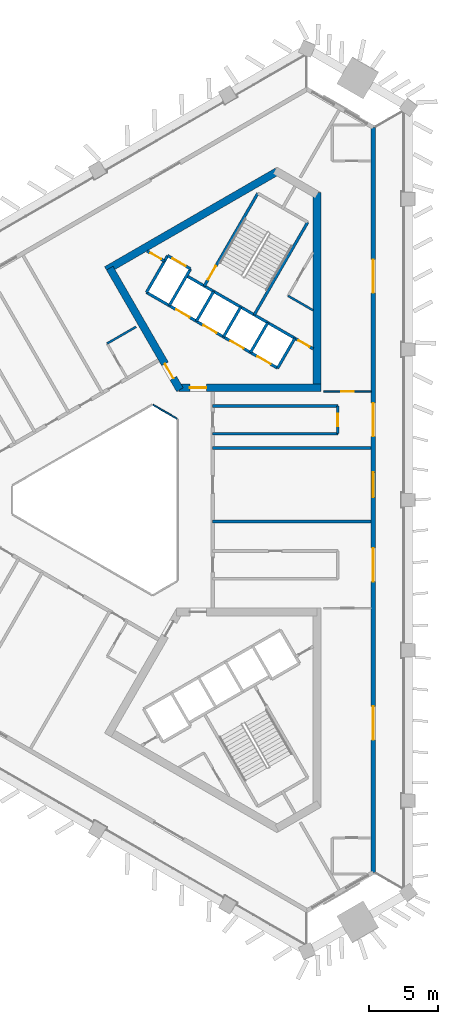
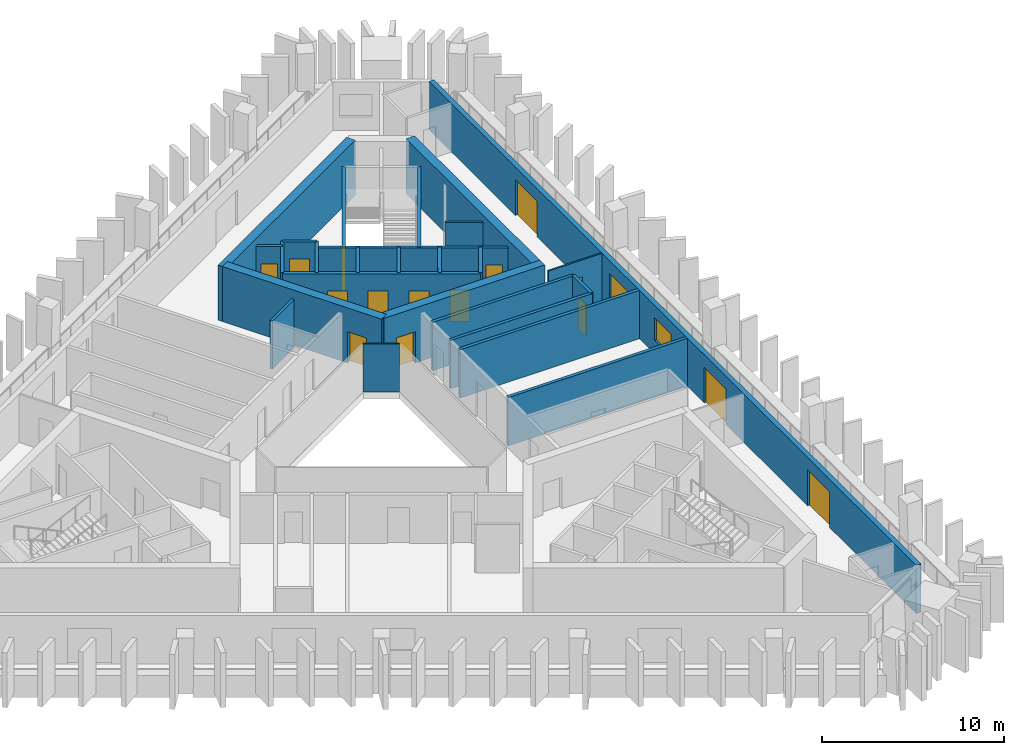
# One storey, part 5 of 9: 26 walls, 16 doors, 1 window, 17 openings.
"""IFC4 building model written with IfcOpenShell, lengths in metres."""

from ifc_helpers import new_model, si_unit, direction, frame, frame_2d, origin, place, context, subcontext, project, spatial, rectangle, extrude, material, layer, layer_set, type_object, element, fill, save


model = new_model("IFC4")

# Units and contexts
model_context = context("Model", 3, precision=1e-05, world=origin(), true_north=direction((0.0, 1.0)))
body_context = subcontext(model_context, "Body", "Model", "MODEL_VIEW")
ifc_project = project(units=[si_unit("LENGTHUNIT", "METRE"), si_unit("AREAUNIT", "SQUARE_METRE"), si_unit("VOLUMEUNIT", "CUBIC_METRE"), si_unit("PLANEANGLEUNIT", "RADIAN"), si_unit("MASSUNIT", "GRAM", prefix="KILO")], contexts=[model_context])

# Site, building, storey
site_placement = place(None, origin())
site = spatial("IfcSite", under=ifc_project, at=site_placement, CompositionType="ELEMENT")
building_placement = place(site_placement, origin())
building = spatial("IfcBuilding", under=site, at=building_placement, Name="Jabali Bay Hotel Tower and Convention Centre", CompositionType="ELEMENT")
storey_placement = place(building_placement, frame((0.0, 0.0, 171.10009765625)))
storey = spatial("IfcBuildingStorey", under=building, at=storey_placement, Name="L41", CompositionType="ELEMENT", Elevation=171.10009765625)

# Wall
ifc_material_1 = material(Name="Fire-resistant glazing", Category="glass")
ifc_layer_1 = layer(ifc_material_1, 0.10009765625)
ifc_layer_set_1 = layer_set([ifc_layer_1], Name="Fire-resistant glazing")
wall_type_1 = type_object("IfcWallType", Name="Atrium glazed screen 100", PredefinedType="PARTITIONING", material=ifc_layer_set_1)
wall_1_placement = place(storey_placement, frame((79.530029296875, 85.84619140625, 0.0), z_axis=(0.0, 0.0, 1.0), x_axis=(-0.866041268327, 0.499972520799, 0.0)))
element("IfcWall", 1, at=wall_1_placement, inside=storey, type_object=wall_type_1, Name="Atrium screen 2 L41", PredefinedType="PARTITIONING", context=body_context, shape_type="SweptSolid", body=[
    extrude(rectangle(XDim=2.0, YDim=0.10009765625, at=frame_2d((1.0, 0.0))), origin(), (0.0, 0.0, 1.0), 3.25),
])

# Wall, opening, door
ifc_material_2 = material(Name="Concrete C40", Category="concrete")
ifc_layer_2 = layer(ifc_material_2, 0.199951171875)
ifc_layer_set_2 = layer_set([ifc_layer_2], Name="Concrete C40")
wall_type_2 = type_object("IfcWallType", Name="Core partition wall 200", PredefinedType="PARTITIONING", material=ifc_layer_set_2)
wall_2_placement = place(storey_placement, frame((78.630126953125, 97.187744140625, 0.0), z_axis=(0.0, 0.0, 1.0), x_axis=(-0.866003949776, 0.500037157592, 0.0)))
wall_2 = element("IfcWall", 2, at=wall_2_placement, inside=storey, type_object=wall_type_2, Name="Core wall 1.12 L41", PredefinedType="PARTITIONING", context=body_context, shape_type="SweptSolid", body=[
    extrude(rectangle(XDim=1.455078125, YDim=0.199951171875, at=frame_2d((0.7275390625, 0.0))), origin(), (0.0, 0.0, 1.0), 3.25),
])
opening_1_placement = place(wall_2_placement, frame((0.277587890625, 0.0, 0.0)))
opening_1 = element("IfcOpeningElement", 3, at=opening_1_placement, cuts=wall_2, Name="Opening D895", PredefinedType="OPENING", context=body_context, shape_type="SweptSolid", body=[
    extrude(rectangle(XDim=0.89990234375, YDim=2.10009765625, at=frame_2d((0.449951171875, 1.050048828125))), frame((0.0, 0.1103515625, 0.0), z_axis=(0.0, -1.0, 0.0), x_axis=(1.0, 0.0, 0.0)), (0.0, 0.0, 1.0), 0.220947265625),
])
ifc_material_3 = material(Name="Fire-rated steel door", Category="steel")
door_type_1 = type_object("IfcDoorType", Name="Vestibule fire door 900 x 2100", OperationType="NOTDEFINED", PredefinedType="NOTDEFINED", material=ifc_material_3)
door_1_placement = place(opening_1_placement, origin())
door_1 = element("IfcDoor", 4, at=door_1_placement, inside=storey, type_object=door_type_1, Name="Vestibule fire door D895", OperationType="SINGLE_SWING_LEFT", OverallHeight=2.10009765625, OverallWidth=0.89990234375, PredefinedType="NOTDEFINED", context=body_context, shape_type="SweptSolid", body=[
    extrude(rectangle(XDim=0.89990234375, YDim=2.10009765625, at=frame_2d((0.449951171875, 1.050048828125))), frame((0.0, 0.02490234375, 0.0), z_axis=(0.0, -1.0, 0.0), x_axis=(1.0, 0.0, 0.0)), (0.0, 0.0, 1.0), 0.050048828125),
])
fill(opening_1, door_1)

# Walls
ifc_material_4 = material(Name="Fire-rated board partition")
ifc_layer_3 = layer(ifc_material_4, 0.14990234375)
ifc_layer_set_3 = layer_set([ifc_layer_3], Name="Fire-rated board partition")
wall_type_3 = type_object("IfcWallType", Name="Core room partition 150", PredefinedType="PARTITIONING", material=ifc_layer_set_3)
wall_3_placement = place(storey_placement, frame((89.330078125, 93.642822265625, 0.0), z_axis=(0.0, 0.0, 1.0), x_axis=(-0.866033778982, 0.499985493453, 0.0)))
element("IfcWall", 5, at=wall_3_placement, inside=storey, type_object=wall_type_3, Name="Core wall 1.14 L41", PredefinedType="PARTITIONING", context=body_context, shape_type="SweptSolid", body=[
    extrude(rectangle(XDim=2.0888671875, YDim=0.14990234375, at=frame_2d((1.04443359375, 0.0))), origin(), (0.0, 0.0, 1.0), 3.25),
])
ifc_layer_4 = layer(ifc_material_2, 0.199951171875)
ifc_layer_set_4 = layer_set([ifc_layer_4], Name="Concrete C40")
wall_type_4 = type_object("IfcWallType", Name="Core stair wall 200", PredefinedType="SOLIDWALL", material=ifc_layer_set_4)
for number, where, z_axis, x_axis, name in (
    (6, (86.769775390625, 89.48583984375, 0.0), (0.0, 0.0, 1.0), (0.499961042966, 0.86604789447, 0.0), "Core wall 1.0 L41"),
    (7, (84.8212890625, 90.61083984375, 0.0), (0.0, 0.0, 1.0), (0.499961042966, 0.86604789447, 0.0), "Core wall 1.2 L41"),
):
    element("IfcWall", number, at=place(storey_placement, frame(where, z_axis=z_axis, x_axis=x_axis)), inside=storey, type_object=wall_type_4, Name=name, PredefinedType="SOLIDWALL", context=body_context, shape_type="SweptSolid", body=[
        extrude(rectangle(XDim=2.480224609375, YDim=0.199951171875, at=frame_2d((1.240234375, 0.0))), origin(), (0.0, 0.0, 1.0), 3.25),
    ])
wall_4_placement = place(storey_placement, frame((85.0869140625, 93.3212890625, 0.0), z_axis=(0.0, 0.0, 1.0), x_axis=(0.500019787375, 0.866013979237, 0.0)))
element("IfcWall", 8, at=wall_4_placement, inside=storey, type_object=wall_type_4, Name="Core wall 1.3 L41", PredefinedType="SOLIDWALL", context=body_context, shape_type="SweptSolid", body=[
    extrude(rectangle(XDim=7.699951171875, YDim=0.199951171875, at=frame_2d((3.85009765625, 0.0))), origin(), (0.0, 0.0, 1.0), 3.25),
])
for number, where, z_axis, x_axis, name in (
    (9, (82.872802734375, 91.73583984375, 0.0), (0.0, 0.0, 1.0), (0.499961042966, 0.86604789447, 0.0), "Core wall 1.4 L41"),
    (10, (80.924072265625, 92.86083984375, 0.0), (0.0, 0.0, 1.0), (0.499961042966, 0.86604789447, 0.0), "Core wall 1.6 L41"),
):
    element("IfcWall", number, at=place(storey_placement, frame(where, z_axis=z_axis, x_axis=x_axis)), inside=storey, type_object=wall_type_4, Name=name, PredefinedType="SOLIDWALL", context=body_context, shape_type="SweptSolid", body=[
        extrude(rectangle(XDim=2.480224609375, YDim=0.199951171875, at=frame_2d((1.240234375, 0.0))), origin(), (0.0, 0.0, 1.0), 3.25),
    ])

# Wall, opening, door
wall_5_placement = place(storey_placement, frame((81.492919921875, 95.396240234375, 0.0), z_axis=(0.0, 0.0, 1.0), x_axis=(0.500006057782, 0.866021906294, 0.0)))
wall_5 = element("IfcWall", 11, at=wall_5_placement, inside=storey, type_object=wall_type_4, Name="Core wall 1.7 L41", PredefinedType="SOLIDWALL", context=body_context, shape_type="SweptSolid", body=[
    extrude(rectangle(XDim=7.7001953125, YDim=0.199951171875, at=frame_2d((3.85009765625, 0.0))), origin(), (0.0, 0.0, 1.0), 3.25),
])
opening_2_placement = place(wall_5_placement, frame((0.550048828125, 0.0, 0.0)))
opening_2 = element("IfcOpeningElement", 12, at=opening_2_placement, cuts=wall_5, Name="Opening D897", PredefinedType="OPENING", context=body_context, shape_type="SweptSolid", body=[
    extrude(rectangle(XDim=1.10009765625, YDim=2.10009765625, at=frame_2d((0.550048828125, 1.050048828125))), frame((0.0, 0.1103515625, 0.0), z_axis=(0.0, -1.0, 0.0), x_axis=(1.0, 0.0, 0.0)), (0.0, 0.0, 1.0), 0.220947265625),
])
door_type_2 = type_object("IfcDoorType", Name="Stair fire door 1100 x 2100", OperationType="NOTDEFINED", PredefinedType="NOTDEFINED", material=ifc_material_3)
door_2_placement = place(opening_2_placement, origin())
door_2 = element("IfcDoor", 13, at=door_2_placement, inside=storey, type_object=door_type_2, Name="Stair fire door D897", OperationType="SINGLE_SWING_RIGHT", OverallHeight=2.10009765625, OverallWidth=1.10009765625, PredefinedType="NOTDEFINED", context=body_context, shape_type="SweptSolid", body=[
    extrude(rectangle(XDim=1.10009765625, YDim=2.10009765625, at=frame_2d((0.550048828125, 1.050048828125))), frame((0.0, 0.02490234375, 0.0), z_axis=(0.0, -1.0, 0.0), x_axis=(1.0, 0.0, 0.0)), (0.0, 0.0, 1.0), 0.050048828125),
])
fill(opening_2, door_2)

# Walls
for number, where, z_axis, x_axis, name in (
    (14, (78.9755859375, 93.98583984375, 0.0), (0.0, 0.0, 1.0), (0.499944174705, 0.866057632134, 0.0), "Core wall 1.8 L41"),
    (15, (77.330078125, 94.93603515625, 0.0), (0.0, 0.0, 1.0), (0.500038867431, 0.8660029625, 0.0), "Core wall 1.9 L41"),
):
    element("IfcWall", number, at=place(storey_placement, frame(where, z_axis=z_axis, x_axis=x_axis)), inside=storey, type_object=wall_type_4, Name=name, PredefinedType="SOLIDWALL", context=body_context, shape_type="SweptSolid", body=[
        extrude(rectangle(XDim=3.050048828125, YDim=0.199951171875, at=frame_2d((1.52490234375, 0.0))), origin(), (0.0, 0.0, 1.0), 3.25),
    ])

# Wall, openings, doors
wall_6_placement = place(storey_placement, frame((86.769775390625, 89.48583984375, 0.0), z_axis=(0.0, 0.0, 1.0), x_axis=(-0.86601811187, 0.500012629753, 0.0)))
wall_6 = element("IfcWall", 16, at=wall_6_placement, inside=storey, type_object=wall_type_4, Name="Core wall 1.10 L41", PredefinedType="SOLIDWALL", context=body_context, shape_type="SweptSolid", body=[
    extrude(rectangle(XDim=10.900146484375, YDim=0.199951171875, at=frame_2d((5.4501953125, 0.0))), origin(), (0.0, 0.0, 1.0), 3.25),
])
opening_3_placement = place(wall_6_placement, frame((0.574951171875, 0.0, 0.0)))
opening_3 = element("IfcOpeningElement", 17, at=opening_3_placement, cuts=wall_6, Name="Opening LD6-L41", PredefinedType="OPENING", context=body_context, shape_type="SweptSolid", body=[
    extrude(rectangle(XDim=1.10009765625, YDim=2.10009765625, at=frame_2d((0.550048828125, 1.050048828125))), frame((0.0, 0.1103515625, 0.0), z_axis=(0.0, -1.0, 0.0), x_axis=(1.0, 0.0, 0.0)), (0.0, 0.0, 1.0), 0.220947265625),
])
opening_4_placement = place(wall_6_placement, frame((2.824951171875, 0.0, 0.0)))
opening_4 = element("IfcOpeningElement", 18, at=opening_4_placement, cuts=wall_6, Name="Opening LD7-L41", PredefinedType="OPENING", context=body_context, shape_type="SweptSolid", body=[
    extrude(rectangle(XDim=1.10009765625, YDim=2.10009765625, at=frame_2d((0.550048828125, 1.050048828125))), frame((0.0, 0.1103515625, 0.0), z_axis=(0.0, -1.0, 0.0), x_axis=(1.0, 0.0, 0.0)), (0.0, 0.0, 1.0), 0.220947265625),
])
opening_5_placement = place(wall_6_placement, frame((5.074951171875, 0.0, 0.0)))
opening_5 = element("IfcOpeningElement", 19, at=opening_5_placement, cuts=wall_6, Name="Opening LD8-L41", PredefinedType="OPENING", context=body_context, shape_type="SweptSolid", body=[
    extrude(rectangle(XDim=1.10009765625, YDim=2.10009765625, at=frame_2d((0.550048828125, 1.050048828125))), frame((0.0, 0.1103515625, 0.0), z_axis=(0.0, -1.0, 0.0), x_axis=(1.0, 0.0, 0.0)), (0.0, 0.0, 1.0), 0.220947265625),
])
opening_6_placement = place(wall_6_placement, frame((7.324951171875, 0.0, 0.0)))
opening_6 = element("IfcOpeningElement", 20, at=opening_6_placement, cuts=wall_6, Name="Opening LD9-L41", PredefinedType="OPENING", context=body_context, shape_type="SweptSolid", body=[
    extrude(rectangle(XDim=1.10009765625, YDim=2.10009765625, at=frame_2d((0.550048828125, 1.050048828125))), frame((0.0, 0.1103515625, 0.0), z_axis=(0.0, -1.0, 0.0), x_axis=(1.0, 0.0, 0.0)), (0.0, 0.0, 1.0), 0.220947265625),
])
ifc_material_5 = material(Name="Stainless steel landing door", Category="steel")
door_type_3 = type_object("IfcDoorType", Name="Landing door 1100 x 2100", OperationType="NOTDEFINED", PredefinedType="NOTDEFINED", material=ifc_material_5)
door_3_placement = place(opening_3_placement, origin())
door_3 = element("IfcDoor", 21, at=door_3_placement, inside=storey, type_object=door_type_3, Name="Landing doors LD6-L41", OperationType="SLIDING_TO_RIGHT", OverallHeight=2.10009765625, OverallWidth=1.10009765625, PredefinedType="NOTDEFINED", context=body_context, shape_type="SweptSolid", body=[
    extrude(rectangle(XDim=1.10009765625, YDim=2.10009765625, at=frame_2d((0.550048828125, 1.050048828125))), frame((0.0, 0.02490234375, 0.0), z_axis=(0.0, -1.0, 0.0), x_axis=(1.0, 0.0, 0.0)), (0.0, 0.0, 1.0), 0.050048828125),
])
fill(opening_3, door_3)
door_4_placement = place(opening_4_placement, origin())
door_4 = element("IfcDoor", 22, at=door_4_placement, inside=storey, type_object=door_type_3, Name="Landing doors LD7-L41", OperationType="SLIDING_TO_LEFT", OverallHeight=2.10009765625, OverallWidth=1.10009765625, PredefinedType="NOTDEFINED", context=body_context, shape_type="SweptSolid", body=[
    extrude(rectangle(XDim=1.10009765625, YDim=2.10009765625, at=frame_2d((0.550048828125, 1.050048828125))), frame((0.0, 0.02490234375, 0.0), z_axis=(0.0, -1.0, 0.0), x_axis=(1.0, 0.0, 0.0)), (0.0, 0.0, 1.0), 0.050048828125),
])
fill(opening_4, door_4)
door_5_placement = place(opening_5_placement, origin())
door_5 = element("IfcDoor", 23, at=door_5_placement, inside=storey, type_object=door_type_3, Name="Landing doors LD8-L41", OperationType="SLIDING_TO_RIGHT", OverallHeight=2.10009765625, OverallWidth=1.10009765625, PredefinedType="NOTDEFINED", context=body_context, shape_type="SweptSolid", body=[
    extrude(rectangle(XDim=1.10009765625, YDim=2.10009765625, at=frame_2d((0.550048828125, 1.050048828125))), frame((0.0, 0.02490234375, 0.0), z_axis=(0.0, -1.0, 0.0), x_axis=(1.0, 0.0, 0.0)), (0.0, 0.0, 1.0), 0.050048828125),
])
fill(opening_5, door_5)
door_6_placement = place(opening_6_placement, origin())
door_6 = element("IfcDoor", 24, at=door_6_placement, inside=storey, type_object=door_type_3, Name="Landing doors LD9-L41", OperationType="SLIDING_TO_LEFT", OverallHeight=2.10009765625, OverallWidth=1.10009765625, PredefinedType="NOTDEFINED", context=body_context, shape_type="SweptSolid", body=[
    extrude(rectangle(XDim=1.10009765625, YDim=2.10009765625, at=frame_2d((0.550048828125, 1.050048828125))), frame((0.0, 0.02490234375, 0.0), z_axis=(0.0, -1.0, 0.0), x_axis=(1.0, 0.0, 0.0)), (0.0, 0.0, 1.0), 0.050048828125),
])
fill(opening_6, door_6)

# Wall, opening, door
wall_7_placement = place(storey_placement, frame((89.330078125, 90.87158203125, 0.0), z_axis=(0.0, 0.0, 1.0), x_axis=(-0.866027589512, 0.49999621419, 0.0)))
wall_7 = element("IfcWall", 25, at=wall_7_placement, inside=storey, type_object=wall_type_4, Name="Core wall 1.11 L41", PredefinedType="SOLIDWALL", context=body_context, shape_type="SweptSolid", body=[
    extrude(rectangle(XDim=10.5244140625, YDim=0.199951171875, at=frame_2d((5.26220703125, 0.0))), origin(), (0.0, 0.0, 1.0), 3.25),
])
opening_7_placement = place(wall_7_placement, frame((0.312255859375, 0.0, 0.0)))
opening_7 = element("IfcOpeningElement", 26, at=opening_7_placement, cuts=wall_7, Name="Opening D896", PredefinedType="OPENING", context=body_context, shape_type="SweptSolid", body=[
    extrude(rectangle(XDim=0.89990234375, YDim=2.10009765625, at=frame_2d((0.449951171875, 1.050048828125))), frame((0.0, 0.1103515625, 0.0), z_axis=(0.0, -1.0, 0.0), x_axis=(1.0, 0.0, 0.0)), (0.0, 0.0, 1.0), 0.220947265625),
])
door_7_placement = place(opening_7_placement, origin())
door_7 = element("IfcDoor", 27, at=door_7_placement, inside=storey, type_object=door_type_1, Name="Vestibule fire door D896", OperationType="SINGLE_SWING_LEFT", OverallHeight=2.10009765625, OverallWidth=0.89990234375, PredefinedType="NOTDEFINED", context=body_context, shape_type="SweptSolid", body=[
    extrude(rectangle(XDim=0.89990234375, YDim=2.10009765625, at=frame_2d((0.449951171875, 1.050048828125))), frame((0.0, 0.02490234375, 0.0), z_axis=(0.0, -1.0, 0.0), x_axis=(1.0, 0.0, 0.0)), (0.0, 0.0, 1.0), 0.050048828125),
])
fill(opening_7, door_7)

wall_8_placement = place(storey_placement, frame((80.50048828125, 96.62744140625, 0.0), z_axis=(0.0, 0.0, 1.0), x_axis=(-0.86601224135, 0.500022797313, 0.0)))
wall_8 = element("IfcWall", 28, at=wall_8_placement, inside=storey, type_object=wall_type_4, Name="Core wall 1.13 L41", PredefinedType="SOLIDWALL", context=body_context, shape_type="SweptSolid", body=[
    extrude(rectangle(XDim=1.89990234375, YDim=0.199951171875, at=frame_2d((0.949951171875, 0.0))), origin(), (0.0, 0.0, 1.0), 3.25),
])
opening_8_placement = place(wall_8_placement, frame((0.39990234375, 0.0, 0.0)))
opening_8 = element("IfcOpeningElement", 29, at=opening_8_placement, cuts=wall_8, Name="Opening LD10-L41", PredefinedType="OPENING", context=body_context, shape_type="SweptSolid", body=[
    extrude(rectangle(XDim=1.10009765625, YDim=2.10009765625, at=frame_2d((0.550048828125, 1.050048828125))), frame((0.0, 0.1103515625, 0.0), z_axis=(0.0, -1.0, 0.0), x_axis=(1.0, 0.0, 0.0)), (0.0, 0.0, 1.0), 0.220947265625),
])
door_8_placement = place(opening_8_placement, origin())
door_8 = element("IfcDoor", 30, at=door_8_placement, inside=storey, type_object=door_type_3, Name="Landing doors LD10-L41", OperationType="SLIDING_TO_RIGHT", OverallHeight=2.10009765625, OverallWidth=1.10009765625, PredefinedType="NOTDEFINED", context=body_context, shape_type="SweptSolid", body=[
    extrude(rectangle(XDim=1.10009765625, YDim=2.10009765625, at=frame_2d((0.550048828125, 1.050048828125))), frame((0.0, 0.02490234375, 0.0), z_axis=(0.0, -1.0, 0.0), x_axis=(1.0, 0.0, 0.0)), (0.0, 0.0, 1.0), 0.050048828125),
])
fill(opening_8, door_8)

ifc_material_6 = material(Name="Concrete C60", Category="concrete")
ifc_layer_5 = layer(ifc_material_6, 0.550048828125)
ifc_layer_set_5 = layer_set([ifc_layer_5], Name="Concrete C60")
wall_type_5 = type_object("IfcWallType", Name="Core wall 550", PredefinedType="SHEAR", material=ifc_layer_set_5)
wall_9_placement = place(storey_placement, frame((79.65869140625, 88.0693359375, 0.0), z_axis=(0.0, 0.0, 1.0), x_axis=(1.0, 0.0, 0.0)))
wall_9 = element("IfcWall", 31, at=wall_9_placement, inside=storey, type_object=wall_type_5, Name="Core wall 2.1 L41", PredefinedType="SHEAR", context=body_context, shape_type="SweptSolid", body=[
    extrude(rectangle(XDim=10.22119140625, YDim=0.550048828125, at=frame_2d((5.110595703125, 0.0))), origin(), (0.0, 0.0, 1.0), 3.699951171875),
])
opening_9_placement = place(wall_9_placement, frame((0.791259765625, 0.0, 0.0)))
opening_9 = element("IfcOpeningElement", 32, at=opening_9_placement, cuts=wall_9, Name="Opening D893", PredefinedType="OPENING", context=body_context, shape_type="SweptSolid", body=[
    extrude(rectangle(XDim=1.199951171875, YDim=2.10009765625, at=frame_2d((0.60009765625, 1.050048828125))), frame((0.0, 0.28564453125, 0.0), z_axis=(0.0, -1.0, 0.0), x_axis=(1.0, 0.0, 0.0)), (0.0, 0.0, 1.0), 0.571044921875),
])
door_type_4 = type_object("IfcDoorType", Name="Corridor end fire door 1200 x 2100", OperationType="NOTDEFINED", PredefinedType="NOTDEFINED", material=ifc_material_3)
door_9_placement = place(opening_9_placement, origin())
door_9 = element("IfcDoor", 33, at=door_9_placement, inside=storey, type_object=door_type_4, Name="Corridor end fire door D893", OperationType="SINGLE_SWING_RIGHT", OverallHeight=2.10009765625, OverallWidth=1.199951171875, PredefinedType="NOTDEFINED", context=body_context, shape_type="SweptSolid", body=[
    extrude(rectangle(XDim=1.199951171875, YDim=2.10009765625, at=frame_2d((0.60009765625, 1.050048828125))), frame((0.0, 0.02490234375, 0.0), z_axis=(0.0, -1.0, 0.0), x_axis=(1.0, 0.0, 0.0)), (0.0, 0.0, 1.0), 0.050048828125),
])
fill(opening_9, door_9)

# Walls
wall_10_placement = place(storey_placement, frame((89.60498046875, 88.0693359375, 0.0), z_axis=(0.0, 0.0, 1.0), x_axis=(0.0, 1.0, 0.0)))
element("IfcWall", 34, at=wall_10_placement, inside=storey, type_object=wall_type_5, Name="Core wall 2.2 L41", PredefinedType="SHEAR", context=body_context, shape_type="SweptSolid", body=[
    extrude(rectangle(XDim=14.058349609375, YDim=0.550048828125, at=frame_2d((7.029296875, 0.0))), origin(), (0.0, 0.0, 1.0), 3.699951171875),
])
wall_11_placement = place(storey_placement, frame((86.72314453125, 103.6328125, 0.0), z_axis=(0.0, 0.0, 1.0), x_axis=(-0.866023530946, -0.500003243837, 0.0)))
element("IfcWall", 35, at=wall_11_placement, inside=storey, type_object=wall_type_5, Name="Core wall 2.4 L41", PredefinedType="SHEAR", context=body_context, shape_type="SweptSolid", body=[
    extrude(rectangle(XDim=14.1748046875, YDim=0.550048828125, at=frame_2d((7.08740234375, 0.0))), origin(), (0.0, 0.0, 1.0), 3.699951171875),
])

# Wall, opening, door
wall_12_placement = place(storey_placement, frame((74.685546875, 96.682861328125, 0.0), z_axis=(0.0, 0.0, 1.0), x_axis=(0.499997818338, -0.866026663364, 0.0)))
wall_12 = element("IfcWall", 36, at=wall_12_placement, inside=storey, type_object=wall_type_5, Name="Core wall 2.5 L41", PredefinedType="SHEAR", context=body_context, shape_type="SweptSolid", body=[
    extrude(rectangle(XDim=10.10498046875, YDim=0.550048828125, at=frame_2d((5.052490234375, 0.0))), origin(), (0.0, 0.0, 1.0), 3.699951171875),
])
opening_10_placement = place(wall_12_placement, frame((7.955078125, 0.0, 0.0)))
opening_10 = element("IfcOpeningElement", 37, at=opening_10_placement, cuts=wall_12, Name="Opening D894", PredefinedType="OPENING", context=body_context, shape_type="SweptSolid", body=[
    extrude(rectangle(XDim=1.199951171875, YDim=2.10009765625, at=frame_2d((0.60009765625, 1.050048828125))), frame((0.0, 0.28564453125, 0.0), z_axis=(0.0, -1.0, 0.0), x_axis=(1.0, 0.0, 0.0)), (0.0, 0.0, 1.0), 0.571044921875),
])
door_10_placement = place(opening_10_placement, origin())
door_10 = element("IfcDoor", 38, at=door_10_placement, inside=storey, type_object=door_type_4, Name="Corridor end fire door D894", OperationType="SINGLE_SWING_LEFT", OverallHeight=2.10009765625, OverallWidth=1.199951171875, PredefinedType="NOTDEFINED", context=body_context, shape_type="SweptSolid", body=[
    extrude(rectangle(XDim=1.199951171875, YDim=2.10009765625, at=frame_2d((0.60009765625, 1.050048828125))), frame((0.0, 0.02490234375, 0.0), z_axis=(0.0, -1.0, 0.0), x_axis=(1.0, 0.0, 0.0)), (0.0, 0.0, 1.0), 0.050048828125),
])
fill(opening_10, door_10)

# Wall, openings, doors, window
ifc_layer_6 = layer(ifc_material_2, 0.300048828125)
ifc_layer_set_6 = layer_set([ifc_layer_6], Name="Concrete C40")
wall_type_6 = type_object("IfcWallType", Name="External wall 300", PredefinedType="SOLIDWALL", material=ifc_layer_set_6)
wall_13_placement = place(storey_placement, frame((93.6513671875, 106.817626953125, 0.0), z_axis=(0.0, 0.0, 1.0), x_axis=(0.0, -1.0, 0.0)))
wall_13 = element("IfcWall", 39, at=wall_13_placement, inside=storey, type_object=wall_type_6, Name="External wall east face L41", PredefinedType="SOLIDWALL", context=body_context, shape_type="SweptSolid", body=[
    extrude(rectangle(XDim=53.63525390625, YDim=0.300048828125, at=frame_2d((26.817626953125, 0.0))), origin(), (0.0, 0.0, 1.0), 3.25),
])
opening_11_placement = place(wall_13_placement, frame((30.294189453125, 0.0, 0.0)))
opening_11 = element("IfcOpeningElement", 40, at=opening_11_placement, cuts=wall_13, Name="Opening SD1", PredefinedType="OPENING", context=body_context, shape_type="SweptSolid", body=[
    extrude(rectangle(XDim=2.39990234375, YDim=2.39990234375, at=frame_2d((1.199951171875, 1.199951171875))), frame((0.0, 0.16064453125, 0.0), z_axis=(0.0, -1.0, 0.0), x_axis=(1.0, 0.0, 0.0)), (0.0, 0.0, 1.0), 0.321044921875),
])
opening_12_placement = place(wall_13_placement, frame((41.683349609375, 0.0, 0.0)))
opening_12 = element("IfcOpeningElement", 41, at=opening_12_placement, cuts=wall_13, Name="Opening SD1", PredefinedType="OPENING", context=body_context, shape_type="SweptSolid", body=[
    extrude(rectangle(XDim=2.39990234375, YDim=2.39990234375, at=frame_2d((1.199951171875, 1.199951171875))), frame((0.0, 0.16064453125, 0.0), z_axis=(0.0, -1.0, 0.0), x_axis=(1.0, 0.0, 0.0)), (0.0, 0.0, 1.0), 0.321044921875),
])
opening_13_placement = place(wall_13_placement, frame((19.849853515625, 0.0, 0.0)))
opening_13 = element("IfcOpeningElement", 42, at=opening_13_placement, cuts=wall_13, Name="Opening SD1", PredefinedType="OPENING", context=body_context, shape_type="SweptSolid", body=[
    extrude(rectangle(XDim=2.39990234375, YDim=2.39990234375, at=frame_2d((1.199951171875, 1.199951171875))), frame((0.0, 0.16064453125, 0.0), z_axis=(0.0, -1.0, 0.0), x_axis=(1.0, 0.0, 0.0)), (0.0, 0.0, 1.0), 0.321044921875),
])
opening_14_placement = place(wall_13_placement, frame((9.514404296875, 0.0, 0.0)))
opening_14 = element("IfcOpeningElement", 43, at=opening_14_placement, cuts=wall_13, Name="Opening SD1", PredefinedType="OPENING", context=body_context, shape_type="SweptSolid", body=[
    extrude(rectangle(XDim=2.39990234375, YDim=2.39990234375, at=frame_2d((1.199951171875, 1.199951171875))), frame((0.0, 0.16064453125, 0.0), z_axis=(0.0, -1.0, 0.0), x_axis=(1.0, 0.0, 0.0)), (0.0, 0.0, 1.0), 0.321044921875),
])
opening_15_placement = place(wall_13_placement, frame((24.826416015625, 0.0, 0.89990234375)))
opening_15 = element("IfcOpeningElement", 44, at=opening_15_placement, cuts=wall_13, Name="Opening W1", PredefinedType="OPENING", context=body_context, shape_type="SweptSolid", body=[
    extrude(rectangle(XDim=1.800048828125, YDim=1.5, at=frame_2d((0.89990234375, 0.75))), frame((0.0, 0.16064453125, 0.0), z_axis=(0.0, -1.0, 0.0), x_axis=(1.0, 0.0, 0.0)), (0.0, 0.0, 1.0), 0.321044921875),
])
ifc_material_7 = material(Name="Glass", Category="glass")
door_type_5 = type_object("IfcDoorType", Name="Loggia sliding door 2400 x 2400", OperationType="NOTDEFINED", PredefinedType="NOTDEFINED", material=ifc_material_7)
door_11_placement = place(opening_11_placement, origin())
door_11 = element("IfcDoor", 45, at=door_11_placement, inside=storey, type_object=door_type_5, Name="Loggia sliding door 4101", OperationType="SLIDING_TO_LEFT", OverallHeight=2.39990234375, OverallWidth=2.39990234375, PredefinedType="NOTDEFINED", context=body_context, shape_type="SweptSolid", body=[
    extrude(rectangle(XDim=2.39990234375, YDim=2.39990234375, at=frame_2d((1.199951171875, 1.199951171875))), frame((0.0, 0.02490234375, 0.0), z_axis=(0.0, -1.0, 0.0), x_axis=(1.0, 0.0, 0.0)), (0.0, 0.0, 1.0), 0.050048828125),
])
fill(opening_11, door_11)
door_12_placement = place(opening_12_placement, origin())
door_12 = element("IfcDoor", 46, at=door_12_placement, inside=storey, type_object=door_type_5, Name="Loggia sliding door 4101", OperationType="SLIDING_TO_RIGHT", OverallHeight=2.39990234375, OverallWidth=2.39990234375, PredefinedType="NOTDEFINED", context=body_context, shape_type="SweptSolid", body=[
    extrude(rectangle(XDim=2.39990234375, YDim=2.39990234375, at=frame_2d((1.199951171875, 1.199951171875))), frame((0.0, 0.02490234375, 0.0), z_axis=(0.0, -1.0, 0.0), x_axis=(1.0, 0.0, 0.0)), (0.0, 0.0, 1.0), 0.050048828125),
])
fill(opening_12, door_12)
door_13_placement = place(opening_13_placement, origin())
door_13 = element("IfcDoor", 47, at=door_13_placement, inside=storey, type_object=door_type_5, Name="Loggia sliding door 4103", OperationType="SLIDING_TO_LEFT", OverallHeight=2.39990234375, OverallWidth=2.39990234375, PredefinedType="NOTDEFINED", context=body_context, shape_type="SweptSolid", body=[
    extrude(rectangle(XDim=2.39990234375, YDim=2.39990234375, at=frame_2d((1.199951171875, 1.199951171875))), frame((0.0, 0.02490234375, 0.0), z_axis=(0.0, -1.0, 0.0), x_axis=(1.0, 0.0, 0.0)), (0.0, 0.0, 1.0), 0.050048828125),
])
fill(opening_13, door_13)
door_14_placement = place(opening_14_placement, origin())
door_14 = element("IfcDoor", 48, at=door_14_placement, inside=storey, type_object=door_type_5, Name="Loggia sliding door 4103", OperationType="SLIDING_TO_RIGHT", OverallHeight=2.39990234375, OverallWidth=2.39990234375, PredefinedType="NOTDEFINED", context=body_context, shape_type="SweptSolid", body=[
    extrude(rectangle(XDim=2.39990234375, YDim=2.39990234375, at=frame_2d((1.199951171875, 1.199951171875))), frame((0.0, 0.02490234375, 0.0), z_axis=(0.0, -1.0, 0.0), x_axis=(1.0, 0.0, 0.0)), (0.0, 0.0, 1.0), 0.050048828125),
])
fill(opening_14, door_14)
window_type = type_object("IfcWindowType", Name="Window 1800 x 1500", PartitioningType="SINGLE_PANEL", PredefinedType="WINDOW", material=ifc_material_7)
window_placement = place(opening_15_placement, origin())
window = element("IfcWindow", 49, at=window_placement, inside=storey, type_object=window_type, Name="Window", OverallHeight=1.5, OverallWidth=1.800048828125, PartitioningType="SINGLE_PANEL", PredefinedType="WINDOW", context=body_context, shape_type="SweptSolid", body=[
    extrude(rectangle(XDim=1.800048828125, YDim=1.5, at=frame_2d((0.89990234375, 0.75))), frame((0.0, 0.030029296875, 0.0), z_axis=(0.0, -1.0, 0.0), x_axis=(1.0, 0.0, 0.0)), (0.0, 0.0, 1.0), 0.06005859375),
])
fill(opening_15, window)

# Wall, opening, door
ifc_material_8 = material(Name="Plasterboard on steel stud", Category="steel")
ifc_layer_7 = layer(ifc_material_8, 0.10009765625)
ifc_layer_set_7 = layer_set([ifc_layer_7], Name="Plasterboard on steel stud")
wall_type_7 = type_object("IfcWallType", Name="Partition 100 unit", PredefinedType="PARTITIONING", material=ifc_layer_set_7)
wall_14_placement = place(storey_placement, frame((93.50244140625, 87.794189453125, 0.0), z_axis=(0.0, 0.0, 1.0), x_axis=(-1.0, 0.0, 0.0)))
wall_14 = element("IfcWall", 50, at=wall_14_placement, inside=storey, type_object=wall_type_7, Name="Partition P02 L41 011", PredefinedType="PARTITIONING", context=body_context, shape_type="SweptSolid", body=[
    extrude(rectangle(XDim=3.42333984375, YDim=0.10009765625, at=frame_2d((1.711669921875, 0.0))), origin(), (0.0, 0.0, 1.0), 3.25),
])
opening_16_placement = place(wall_14_placement, frame((1.261962890625, 0.0, 0.0)))
opening_16 = element("IfcOpeningElement", 51, at=opening_16_placement, cuts=wall_14, Name="Opening 4107", PredefinedType="OPENING", context=body_context, shape_type="SweptSolid", body=[
    extrude(rectangle(XDim=0.89990234375, YDim=2.10009765625, at=frame_2d((0.449951171875, 1.050048828125))), frame((0.0, 0.060546875, 0.0), z_axis=(0.0, -1.0, 0.0), x_axis=(1.0, 0.0, 0.0)), (0.0, 0.0, 1.0), 0.12109375),
])
ifc_material_9 = material(Name="Timber", Category="wood")
door_type_6 = type_object("IfcDoorType", Name="Internal door 900 x 2100", OperationType="NOTDEFINED", PredefinedType="NOTDEFINED", material=ifc_material_9)
door_15_placement = place(opening_16_placement, origin())
door_15 = element("IfcDoor", 52, at=door_15_placement, inside=storey, type_object=door_type_6, Name="Door 4107", OperationType="SINGLE_SWING_RIGHT", OverallHeight=2.10009765625, OverallWidth=0.89990234375, PredefinedType="NOTDEFINED", context=body_context, shape_type="SweptSolid", body=[
    extrude(rectangle(XDim=0.89990234375, YDim=2.10009765625, at=frame_2d((0.449951171875, 1.050048828125))), frame((0.0, 0.02490234375, 0.0), z_axis=(0.0, -1.0, 0.0), x_axis=(1.0, 0.0, 0.0)), (0.0, 0.0, 1.0), 0.050048828125),
])
fill(opening_16, door_15)

# Walls
ifc_layer_8 = layer(ifc_material_8, 0.14990234375)
ifc_layer_set_8 = layer_set([ifc_layer_8], Name="Plasterboard on steel stud")
wall_type_8 = type_object("IfcWallType", Name="Partition 150 wet", PredefinedType="PARTITIONING", material=ifc_layer_set_8)
wall_15_placement = place(storey_placement, frame((74.498291015625, 91.25732421875, 0.0), z_axis=(0.0, 0.0, 1.0), x_axis=(0.866038271014, 0.499977712642, 0.0)))
element("IfcWall", 53, at=wall_15_placement, inside=storey, type_object=wall_type_8, Name="Partition P03 L41 020", PredefinedType="PARTITIONING", context=body_context, shape_type="SweptSolid", body=[
    extrude(rectangle(XDim=2.40087890625, YDim=0.14990234375, at=frame_2d((1.200439453125, 0.0))), origin(), (0.0, 0.0, 1.0), 3.25),
])
ifc_layer_9 = layer(ifc_material_8, 0.199951171875)
ifc_layer_set_9 = layer_set([ifc_layer_9], Name="Plasterboard on steel stud")
wall_type_9 = type_object("IfcWallType", Name="Partition 200 party", PredefinedType="PARTITIONING", material=ifc_layer_set_9)
for number, where, z_axis, x_axis, name in (
    (54, (93.50244140625, 78.441162109375, 0.0), (0.0, 0.0, 1.0), (-1.0, 0.0, 0.0), "Partition P01 L41 005"),
    (55, (93.50244140625, 83.7412109375, 0.0), (0.0, 0.0, 1.0), (-1.0, 0.0, 0.0), "Partition P01 L41 010"),
):
    element("IfcWall", number, at=place(storey_placement, frame(where, z_axis=z_axis, x_axis=x_axis)), inside=storey, type_object=wall_type_9, Name=name, PredefinedType="PARTITIONING", context=body_context, shape_type="SweptSolid", body=[
        extrude(rectangle(XDim=11.40234375, YDim=0.199951171875, at=frame_2d((5.701171875, 0.0))), origin(), (0.0, 0.0, 1.0), 3.25),
    ])
wall_16_placement = place(storey_placement, frame((82.10009765625, 86.767822265625, 0.0), z_axis=(0.0, 0.0, 1.0), x_axis=(1.0, 0.0, 0.0)))
element("IfcWall", 56, at=wall_16_placement, inside=storey, type_object=wall_type_9, Name="Partition P01 L41 012", PredefinedType="PARTITIONING", context=body_context, shape_type="SweptSolid", body=[
    extrude(rectangle(XDim=9.0, YDim=0.199951171875, at=frame_2d((4.5, 0.0))), origin(), (0.0, 0.0, 1.0), 3.25),
])

# Wall, opening, door
wall_17_placement = place(storey_placement, frame((91.10009765625, 86.767822265625, 0.0), z_axis=(0.0, 0.0, 1.0), x_axis=(0.0, -1.0, 0.0)))
wall_17 = element("IfcWall", 57, at=wall_17_placement, inside=storey, type_object=wall_type_9, Name="Partition P01 L41 013", PredefinedType="PARTITIONING", context=body_context, shape_type="SweptSolid", body=[
    extrude(rectangle(XDim=2.0, YDim=0.199951171875, at=frame_2d((1.0, 0.0))), origin(), (0.0, 0.0, 1.0), 3.25),
])
opening_17_placement = place(wall_17_placement, frame((0.550048828125, 0.0, 0.0)))
opening_17 = element("IfcOpeningElement", 58, at=opening_17_placement, cuts=wall_17, Name="Opening 4109", PredefinedType="OPENING", context=body_context, shape_type="SweptSolid", body=[
    extrude(rectangle(XDim=0.89990234375, YDim=2.10009765625, at=frame_2d((0.449951171875, 1.050048828125))), frame((0.0, 0.1103515625, 0.0), z_axis=(0.0, -1.0, 0.0), x_axis=(1.0, 0.0, 0.0)), (0.0, 0.0, 1.0), 0.220947265625),
])
door_16_placement = place(opening_17_placement, origin())
door_16 = element("IfcDoor", 59, at=door_16_placement, inside=storey, type_object=door_type_6, Name="Door 4109", OperationType="SINGLE_SWING_RIGHT", OverallHeight=2.10009765625, OverallWidth=0.89990234375, PredefinedType="NOTDEFINED", context=body_context, shape_type="SweptSolid", body=[
    extrude(rectangle(XDim=0.89990234375, YDim=2.10009765625, at=frame_2d((0.449951171875, 1.050048828125))), frame((0.0, 0.02490234375, 0.0), z_axis=(0.0, -1.0, 0.0), x_axis=(1.0, 0.0, 0.0)), (0.0, 0.0, 1.0), 0.050048828125),
])
fill(opening_17, door_16)

# Wall
wall_18_placement = place(storey_placement, frame((91.10009765625, 84.767822265625, 0.0), z_axis=(0.0, 0.0, 1.0), x_axis=(-1.0, 0.0, 0.0)))
element("IfcWall", 60, at=wall_18_placement, inside=storey, type_object=wall_type_9, Name="Partition P01 L41 014", PredefinedType="PARTITIONING", context=body_context, shape_type="SweptSolid", body=[
    extrude(rectangle(XDim=9.0, YDim=0.199951171875, at=frame_2d((4.5, 0.0))), origin(), (0.0, 0.0, 1.0), 3.25),
])

save(model, "model.ifc")
